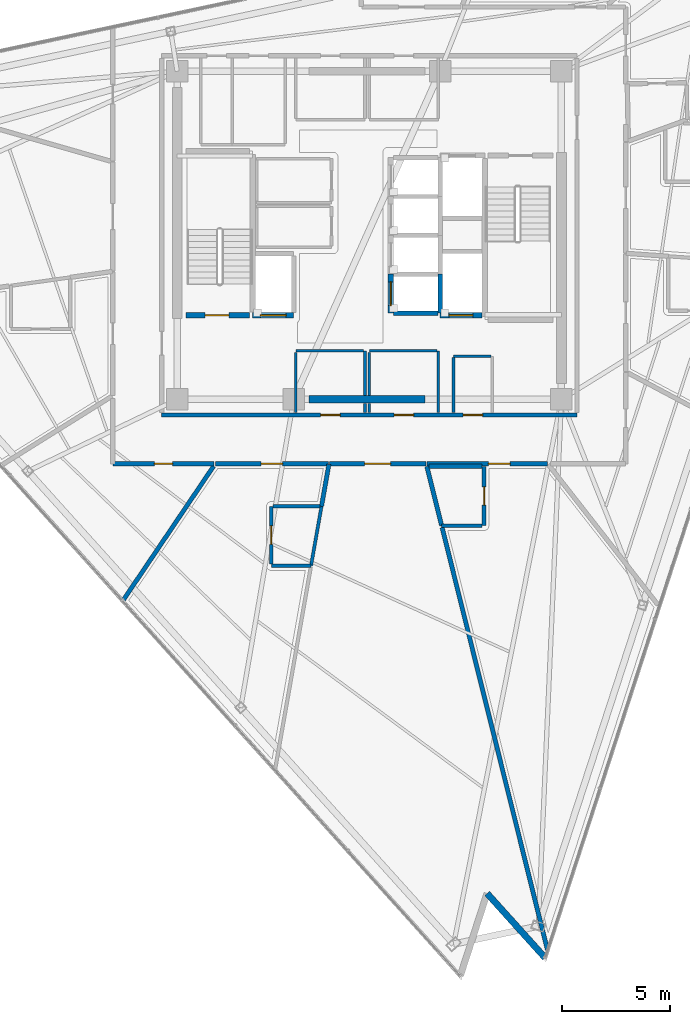
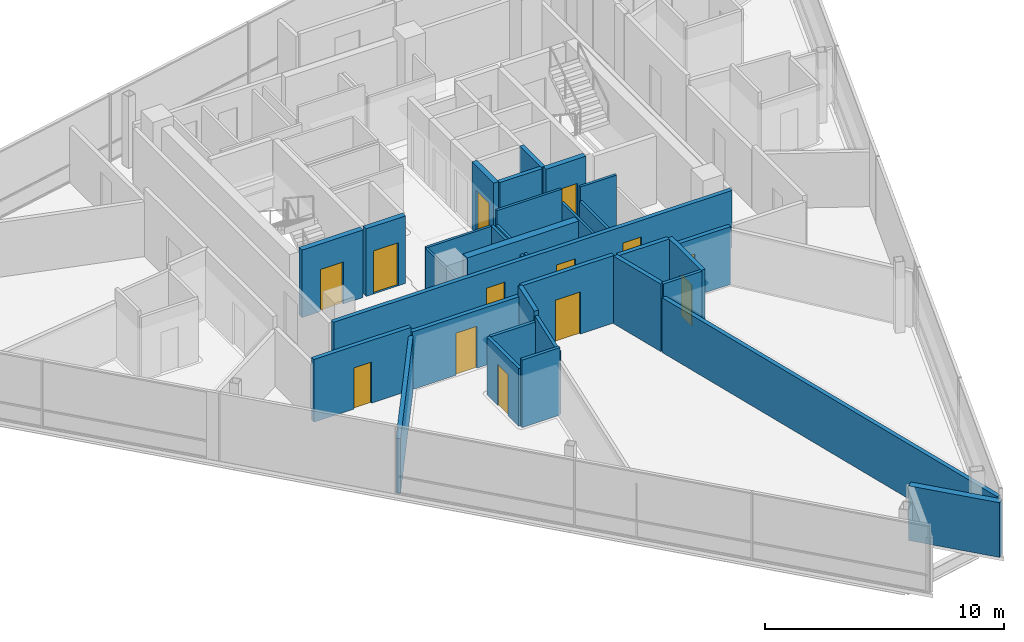
# One storey, part 10 of 17: 34 walls, 13 doors, 13 openings.
"""IFC4 building model written with IfcOpenShell, lengths in metres."""

from ifc_helpers import new_model, si_unit, direction, frame, frame_2d, origin, place, context, subcontext, project, spatial, rectangle, extrude, material, layer, layer_set, type_object, element, fill, save


model = new_model("IFC4")

# Units and contexts
model_context = context("Model", 3, precision=1e-05, world=origin(), true_north=direction((0.0, 1.0)))
body_context = subcontext(model_context, "Body", "Model", "MODEL_VIEW")
ifc_project = project(units=[si_unit("LENGTHUNIT", "METRE"), si_unit("AREAUNIT", "SQUARE_METRE"), si_unit("VOLUMEUNIT", "CUBIC_METRE"), si_unit("PLANEANGLEUNIT", "RADIAN"), si_unit("MASSUNIT", "GRAM", prefix="KILO")], contexts=[model_context])

# Site, building, storey
site_placement = place(None, origin())
site = spatial("IfcSite", under=ifc_project, at=site_placement, CompositionType="ELEMENT")
building_placement = place(site_placement, origin())
building = spatial("IfcBuilding", under=site, at=building_placement, Name="Tharavind Bronze Gate", CompositionType="ELEMENT")
storey_placement = place(building_placement, frame((0.0, 0.0, 294.35009765625)))
storey = spatial("IfcBuildingStorey", under=building, at=storey_placement, Name="L76", CompositionType="ELEMENT", Elevation=294.35009765625)

# Wall
ifc_material_1 = material(Name="Concrete C40/50", Category="concrete")
ifc_layer_1 = layer(ifc_material_1, 0.300048828125)
ifc_layer_set_1 = layer_set([ifc_layer_1], Name="Concrete C40/50")
wall_type_1 = type_object("IfcWallType", Name="EXTERIOR SPANDREL WALL 300", PredefinedType="STANDARD", material=ifc_layer_set_1)
wall_1_placement = place(storey_placement, frame((5.459228515625, -30.484130859375, 0.0), z_axis=(0.0, 0.0, 1.0), x_axis=(0.669132983361, -0.743142685208, 0.0)))
element("IfcWall", 1, at=wall_1_placement, inside=storey, type_object=wall_type_1, Name="L76 notch cheek wall 2B", PredefinedType="STANDARD", context=body_context, shape_type="SweptSolid", body=[
    extrude(rectangle(XDim=4.008056640625, YDim=0.300048828125, at=frame_2d((2.00390625, 0.0))), origin(), (0.0, 0.0, 1.0), 2.794921875),
])

# Wall, openings, doors
ifc_material_2 = material(Name="Aerated Concrete Block", Category="concrete")
ifc_layer_2 = layer(ifc_material_2, 0.199951171875)
ifc_layer_set_2 = layer_set([ifc_layer_2], Name="Aerated Concrete Block")
wall_type_2 = type_object("IfcWallType", Name="FIRE RATED PARTITION 200", PredefinedType="PARTITIONING", material=ifc_layer_set_2)
wall_2_placement = place(storey_placement, frame((-9.6201171875, -8.320068359375, 0.0), z_axis=(0.0, 0.0, 1.0), x_axis=(1.0, 0.0, 0.0)))
wall_2 = element("IfcWall", 2, at=wall_2_placement, inside=storey, type_object=wall_type_2, Name="L76 south core corridor wall", PredefinedType="PARTITIONING", context=body_context, shape_type="SweptSolid", body=[
    extrude(rectangle(XDim=19.240234375, YDim=0.199951171875, at=frame_2d((9.6201171875, 0.0))), origin(), (0.0, 0.0, 1.0), 2.94482421875),
])
opening_1_placement = place(wall_2_placement, frame((7.3701171875, 0.0, 0.0)))
opening_1 = element("IfcOpeningElement", 3, at=opening_1_placement, cuts=wall_2, Name="Opening ID07", PredefinedType="OPENING", context=body_context, shape_type="SweptSolid", body=[
    extrude(rectangle(XDim=0.89990234375, YDim=2.10009765625, at=frame_2d((0.449951171875, 1.050048828125))), frame((0.0, 0.11009765625, 0.0), z_axis=(0.0, -1.0, 0.0), x_axis=(1.0, 0.0, 0.0)), (0.0, 0.0, 1.0), 0.219951171875),
])
opening_2_placement = place(wall_2_placement, frame((10.77001953125, 0.0, 0.0)))
opening_2 = element("IfcOpeningElement", 4, at=opening_2_placement, cuts=wall_2, Name="Opening ID07", PredefinedType="OPENING", context=body_context, shape_type="SweptSolid", body=[
    extrude(rectangle(XDim=0.89990234375, YDim=2.10009765625, at=frame_2d((0.449951171875, 1.050048828125))), frame((0.0, 0.11009765625, 0.0), z_axis=(0.0, -1.0, 0.0), x_axis=(1.0, 0.0, 0.0)), (0.0, 0.0, 1.0), 0.219951171875),
])
opening_3_placement = place(wall_2_placement, frame((13.969970703125, 0.0, 0.0)))
opening_3 = element("IfcOpeningElement", 5, at=opening_3_placement, cuts=wall_2, Name="Opening ID07", PredefinedType="OPENING", context=body_context, shape_type="SweptSolid", body=[
    extrude(rectangle(XDim=0.89990234375, YDim=2.10009765625, at=frame_2d((0.449951171875, 1.050048828125))), frame((0.0, 0.11009765625, 0.0), z_axis=(0.0, -1.0, 0.0), x_axis=(1.0, 0.0, 0.0)), (0.0, 0.0, 1.0), 0.219951171875),
])
ifc_material_3 = material(Name="Galvanised Fire Steel", Category="steel")
door_type_1 = type_object("IfcDoorType", Name="PLANT AND RISER FIRE DOOR 900X2100", OperationType="SINGLE_SWING_LEFT", PredefinedType="DOOR", material=ifc_material_3)
door_1_placement = place(opening_1_placement, frame((0.89990234375, 0.0, 0.0), z_axis=(0.0, 0.0, 1.0), x_axis=(-1.0, 0.0, 0.0)))
door_1 = element("IfcDoor", 6, at=door_1_placement, inside=storey, type_object=door_type_1, Name="L76 Core Archive Store fire door", OperationType="SINGLE_SWING_LEFT", OverallHeight=2.10009765625, OverallWidth=0.89990234375, PredefinedType="DOOR", context=body_context, shape_type="SweptSolid", body=[
    extrude(rectangle(XDim=0.89990234375, YDim=2.10009765625, at=frame_2d((0.449951171875, 1.050048828125))), frame((0.0, 0.02490234375, 0.0), z_axis=(0.0, -1.0, 0.0), x_axis=(1.0, 0.0, 0.0)), (0.0, 0.0, 1.0), 0.050048828125),
])
fill(opening_1, door_1)
door_2_placement = place(opening_2_placement, frame((0.89990234375, 0.0, 0.0), z_axis=(0.0, 0.0, 1.0), x_axis=(-1.0, 0.0, 0.0)))
door_2 = element("IfcDoor", 7, at=door_2_placement, inside=storey, type_object=door_type_1, Name="L76 Core Server Room fire door", OperationType="SINGLE_SWING_LEFT", OverallHeight=2.10009765625, OverallWidth=0.89990234375, PredefinedType="DOOR", context=body_context, shape_type="SweptSolid", body=[
    extrude(rectangle(XDim=0.89990234375, YDim=2.10009765625, at=frame_2d((0.449951171875, 1.050048828125))), frame((0.0, 0.02490234375, 0.0), z_axis=(0.0, -1.0, 0.0), x_axis=(1.0, 0.0, 0.0)), (0.0, 0.0, 1.0), 0.050048828125),
])
fill(opening_2, door_2)
door_3_placement = place(opening_3_placement, frame((0.89990234375, 0.0, 0.0), z_axis=(0.0, 0.0, 1.0), x_axis=(-1.0, 0.0, 0.0)))
door_3 = element("IfcDoor", 8, at=door_3_placement, inside=storey, type_object=door_type_1, Name="L76 Janitor Store Cupboard fire door", OperationType="SINGLE_SWING_LEFT", OverallHeight=2.10009765625, OverallWidth=0.89990234375, PredefinedType="DOOR", context=body_context, shape_type="SweptSolid", body=[
    extrude(rectangle(XDim=0.89990234375, YDim=2.10009765625, at=frame_2d((0.449951171875, 1.050048828125))), frame((0.0, 0.02490234375, 0.0), z_axis=(0.0, -1.0, 0.0), x_axis=(1.0, 0.0, 0.0)), (0.0, 0.0, 1.0), 0.050048828125),
])
fill(opening_3, door_3)

# Wall, opening, door
wall_3_placement = place(storey_placement, frame((5.31787109375, -10.699951171875, 0.0), z_axis=(0.0, 0.0, 1.0), x_axis=(0.0, -1.0, 0.0)))
wall_3 = element("IfcWall", 9, at=wall_3_placement, inside=storey, type_object=wall_type_2, Name="L76 En-Suite Bathroom partition", PredefinedType="PARTITIONING", context=body_context, shape_type="SweptSolid", body=[
    extrude(rectangle(XDim=2.75, YDim=0.199951171875, at=frame_2d((1.375, 0.0))), origin(), (0.0, 0.0, 1.0), 3.449951171875),
])
opening_4_placement = place(wall_3_placement, frame((0.949951171875, 0.0, 0.0)))
opening_4 = element("IfcOpeningElement", 10, at=opening_4_placement, cuts=wall_3, Name="Opening ID06", PredefinedType="OPENING", context=body_context, shape_type="SweptSolid", body=[
    extrude(rectangle(XDim=0.85009765625, YDim=2.10009765625, at=frame_2d((0.425048828125, 1.050048828125))), frame((0.0, 0.11009765625, 0.0), z_axis=(0.0, -1.0, 0.0), x_axis=(1.0, 0.0, 0.0)), (0.0, 0.0, 1.0), 0.219951171875),
])
ifc_material_4 = material(Name="Moisture-Resistant Timber", Category="wood")
door_type_2 = type_object("IfcDoorType", Name="BATHROOM PRIVACY DOOR 850X2100", OperationType="SINGLE_SWING_RIGHT", PredefinedType="DOOR", material=ifc_material_4)
door_4_placement = place(opening_4_placement, origin())
door_4 = element("IfcDoor", 11, at=door_4_placement, inside=storey, type_object=door_type_2, Name="L76 En-Suite Bathroom door", OperationType="SINGLE_SWING_RIGHT", OverallHeight=2.10009765625, OverallWidth=0.85009765625, PredefinedType="DOOR", context=body_context, shape_type="SweptSolid", body=[
    extrude(rectangle(XDim=0.85009765625, YDim=2.10009765625, at=frame_2d((0.425048828125, 1.050048828125))), frame((0.0, 0.02490234375, 0.0), z_axis=(0.0, -1.0, 0.0), x_axis=(1.0, 0.0, 0.0)), (0.0, 0.0, 1.0), 0.050048828125),
])
fill(opening_4, door_4)

# Walls
wall_4_placement = place(storey_placement, frame((3.353515625, -13.449951171875, 0.0), z_axis=(0.0, 0.0, 1.0), x_axis=(-0.241968071048, 0.970284212277, 0.0)))
element("IfcWall", 12, at=wall_4_placement, inside=storey, type_object=wall_type_2, Name="L76 En-Suite Bathroom partition", PredefinedType="PARTITIONING", context=body_context, shape_type="SweptSolid", body=[
    extrude(rectangle(XDim=2.834228515625, YDim=0.199951171875, at=frame_2d((1.4169921875, 0.0))), origin(), (0.0, 0.0, 1.0), 3.449951171875),
])
wall_5_placement = place(storey_placement, frame((2.77587890625, -10.699951171875, 0.0), z_axis=(0.0, 0.0, 1.0), x_axis=(1.0, 0.0, 0.0)))
element("IfcWall", 13, at=wall_5_placement, inside=storey, type_object=wall_type_2, Name="L76 En-Suite Bathroom partition", PredefinedType="PARTITIONING", context=body_context, shape_type="SweptSolid", body=[
    extrude(rectangle(XDim=2.43701171875, YDim=0.199951171875, at=frame_2d((1.218505859375, 0.0))), origin(), (0.0, 0.0, 1.0), 3.449951171875),
])

# Wall, opening, door
wall_6_placement = place(storey_placement, frame((-11.87939453125, -10.580078125, 0.0), z_axis=(0.0, 0.0, 1.0), x_axis=(1.0, 0.0, 0.0)))
wall_6 = element("IfcWall", 14, at=wall_6_placement, inside=storey, type_object=wall_type_2, Name="L76 Public Restrooms Block partition", PredefinedType="PARTITIONING", context=body_context, shape_type="SweptSolid", body=[
    extrude(rectangle(XDim=4.696044921875, YDim=0.199951171875, at=frame_2d((2.34814453125, 0.0))), origin(), (0.0, 0.0, 1.0), 3.204833984375),
])
opening_5_placement = place(wall_6_placement, frame((1.923095703125, 0.0, 0.0)))
opening_5 = element("IfcOpeningElement", 15, at=opening_5_placement, cuts=wall_6, Name="Opening ID06", PredefinedType="OPENING", context=body_context, shape_type="SweptSolid", body=[
    extrude(rectangle(XDim=0.85009765625, YDim=2.10009765625, at=frame_2d((0.425048828125, 1.050048828125))), frame((0.0, 0.11009765625, 0.0), z_axis=(0.0, -1.0, 0.0), x_axis=(1.0, 0.0, 0.0)), (0.0, 0.0, 1.0), 0.219951171875),
])
door_5_placement = place(opening_5_placement, origin())
door_5 = element("IfcDoor", 16, at=door_5_placement, inside=storey, type_object=door_type_2, Name="L76 Public Restrooms Block door", OperationType="SINGLE_SWING_RIGHT", OverallHeight=2.10009765625, OverallWidth=0.85009765625, PredefinedType="DOOR", context=body_context, shape_type="SweptSolid", body=[
    extrude(rectangle(XDim=0.85009765625, YDim=2.10009765625, at=frame_2d((0.425048828125, 1.050048828125))), frame((0.0, 0.02490234375, 0.0), z_axis=(0.0, -1.0, 0.0), x_axis=(1.0, 0.0, 0.0)), (0.0, 0.0, 1.0), 0.050048828125),
])
fill(opening_5, door_5)

# Wall
wall_7_placement = place(storey_placement, frame((-7.20703125, -10.68505859375, 0.0), z_axis=(0.0, 0.0, 1.0), x_axis=(-0.559203861497, -0.829030181168, 0.0)))
element("IfcWall", 17, at=wall_7_placement, inside=storey, type_object=wall_type_2, Name="L76 Public Restrooms Block partition", PredefinedType="PARTITIONING", context=body_context, shape_type="SweptSolid", body=[
    extrude(rectangle(XDim=7.52978515625, YDim=0.199951171875, at=frame_2d((3.764892578125, 0.0))), origin(), (0.0, 0.0, 1.0), 2.794921875),
])

# Wall, opening, door
wall_8_placement = place(storey_placement, frame((-7.123046875, -10.580078125, 0.0), z_axis=(0.0, 0.0, 1.0), x_axis=(1.0, 0.0, 0.0)))
wall_8 = element("IfcWall", 18, at=wall_8_placement, inside=storey, type_object=wall_type_2, Name="L76 Hotel Guest Room partition", PredefinedType="PARTITIONING", context=body_context, shape_type="SweptSolid", body=[
    extrude(rectangle(XDim=5.227783203125, YDim=0.199951171875, at=frame_2d((2.61376953125, 0.0))), origin(), (0.0, 0.0, 1.0), 2.94482421875),
])
opening_6_placement = place(wall_8_placement, frame((2.114013671875, 0.0, 0.0)))
opening_6 = element("IfcOpeningElement", 19, at=opening_6_placement, cuts=wall_8, Name="Opening ID03", PredefinedType="OPENING", context=body_context, shape_type="SweptSolid", body=[
    extrude(rectangle(XDim=1.0, YDim=2.14990234375, at=frame_2d((0.5, 1.074951171875))), frame((0.0, 0.11009765625, 0.0), z_axis=(0.0, -1.0, 0.0), x_axis=(1.0, 0.0, 0.0)), (0.0, 0.0, 1.0), 0.219951171875),
])
ifc_material_5 = material(Name="Solid Timber Veneer", Category="wood")
door_type_3 = type_object("IfcDoorType", Name="HOTEL SUITE ENTRANCE DOOR 1000X2150", OperationType="SINGLE_SWING_LEFT", PredefinedType="DOOR", material=ifc_material_5)
door_6_placement = place(opening_6_placement, origin())
door_6 = element("IfcDoor", 20, at=door_6_placement, inside=storey, type_object=door_type_3, Name="L76 Hotel Guest Room door", OperationType="SINGLE_SWING_LEFT", OverallHeight=2.14990234375, OverallWidth=1.0, PredefinedType="DOOR", context=body_context, shape_type="SweptSolid", body=[
    extrude(rectangle(XDim=1.0, YDim=2.14990234375, at=frame_2d((0.5, 1.074951171875))), frame((0.0, 0.02490234375, 0.0), z_axis=(0.0, -1.0, 0.0), x_axis=(1.0, 0.0, 0.0)), (0.0, 0.0, 1.0), 0.050048828125),
])
fill(opening_6, door_6)

# Wall
wall_9_placement = place(storey_placement, frame((-1.87060546875, -10.609375, 0.0), z_axis=(0.0, 0.0, 1.0), x_axis=(-0.17369345517, -0.984799768294, 0.0)))
element("IfcWall", 21, at=wall_9_placement, inside=storey, type_object=wall_type_2, Name="L76 Hotel Guest Room partition", PredefinedType="PARTITIONING", context=body_context, shape_type="SweptSolid", body=[
    extrude(rectangle(XDim=1.970703125, YDim=0.199951171875, at=frame_2d((0.9853515625, 0.0))), origin(), (0.0, 0.0, 1.0), 3.449951171875),
])

# Wall, opening, door
wall_10_placement = place(storey_placement, frame((-1.844482421875, -10.580078125, 0.0), z_axis=(0.0, 0.0, 1.0), x_axis=(1.0, 0.0, 0.0)))
wall_10 = element("IfcWall", 22, at=wall_10_placement, inside=storey, type_object=wall_type_2, Name="L76 Hotel Guest Lounge partition", PredefinedType="PARTITIONING", context=body_context, shape_type="SweptSolid", body=[
    extrude(rectangle(XDim=4.462890625, YDim=0.199951171875, at=frame_2d((2.2314453125, 0.0))), origin(), (0.0, 0.0, 1.0), 3.449951171875),
])
opening_7_placement = place(wall_10_placement, frame((1.631103515625, 0.0, 0.0)))
opening_7 = element("IfcOpeningElement", 23, at=opening_7_placement, cuts=wall_10, Name="Opening ID05", PredefinedType="OPENING", context=body_context, shape_type="SweptSolid", body=[
    extrude(rectangle(XDim=1.199951171875, YDim=2.14990234375, at=frame_2d((0.60009765625, 1.074951171875))), frame((0.0, 0.11009765625, 0.0), z_axis=(0.0, -1.0, 0.0), x_axis=(1.0, 0.0, 0.0)), (0.0, 0.0, 1.0), 0.219951171875),
])
ifc_material_6 = material(Name="Acoustic Laminated Glass", Category="glass")
door_type_4 = type_object("IfcDoorType", Name="MEETING ROOM GLAZED DOOR 1200X2150", OperationType="SINGLE_SWING_LEFT", PredefinedType="DOOR", material=ifc_material_6)
door_7_placement = place(opening_7_placement, origin())
door_7 = element("IfcDoor", 24, at=door_7_placement, inside=storey, type_object=door_type_4, Name="L76 Hotel Guest Lounge door", OperationType="SINGLE_SWING_LEFT", OverallHeight=2.14990234375, OverallWidth=1.199951171875, PredefinedType="DOOR", context=body_context, shape_type="SweptSolid", body=[
    extrude(rectangle(XDim=1.199951171875, YDim=2.14990234375, at=frame_2d((0.60009765625, 1.074951171875))), frame((0.0, 0.02490234375, 0.0), z_axis=(0.0, -1.0, 0.0), x_axis=(1.0, 0.0, 0.0)), (0.0, 0.0, 1.0), 0.050048828125),
])
fill(opening_7, door_7)

# Wall
wall_11_placement = place(storey_placement, frame((3.373291015625, -13.530029296875, 0.0), z_axis=(0.0, 0.0, 1.0), x_axis=(0.24193474073, -0.970292523535, 0.0)))
element("IfcWall", 25, at=wall_11_placement, inside=storey, type_object=wall_type_2, Name="L76 Hotel Guest Lounge partition", PredefinedType="PARTITIONING", context=body_context, shape_type="SweptSolid", body=[
    extrude(rectangle(XDim=20.17333984375, YDim=0.199951171875, at=frame_2d((10.086669921875, 0.0))), origin(), (0.0, 0.0, 1.0), 2.794921875),
])

# Wall, opening, door
wall_12_placement = place(storey_placement, frame((2.669921875, -10.580078125, 0.0), z_axis=(0.0, 0.0, 1.0), x_axis=(1.0, 0.0, 0.0)))
wall_12 = element("IfcWall", 26, at=wall_12_placement, inside=storey, type_object=wall_type_2, Name="L76 Deluxe Hotel Suite partition", PredefinedType="PARTITIONING", context=body_context, shape_type="SweptSolid", body=[
    extrude(rectangle(XDim=5.583984375, YDim=0.199951171875, at=frame_2d((2.7919921875, 0.0))), origin(), (0.0, 0.0, 1.0), 2.94482421875),
])
opening_8_placement = place(wall_12_placement, frame((2.85205078125, 0.0, 0.0)))
opening_8 = element("IfcOpeningElement", 27, at=opening_8_placement, cuts=wall_12, Name="Opening ID03", PredefinedType="OPENING", context=body_context, shape_type="SweptSolid", body=[
    extrude(rectangle(XDim=1.0, YDim=2.14990234375, at=frame_2d((0.5, 1.074951171875))), frame((0.0, 0.11009765625, 0.0), z_axis=(0.0, -1.0, 0.0), x_axis=(1.0, 0.0, 0.0)), (0.0, 0.0, 1.0), 0.219951171875),
])
door_8_placement = place(opening_8_placement, origin())
door_8 = element("IfcDoor", 28, at=door_8_placement, inside=storey, type_object=door_type_3, Name="L76 Deluxe Hotel Suite door", OperationType="SINGLE_SWING_LEFT", OverallHeight=2.14990234375, OverallWidth=1.0, PredefinedType="DOOR", context=body_context, shape_type="SweptSolid", body=[
    extrude(rectangle(XDim=1.0, YDim=2.14990234375, at=frame_2d((0.5, 1.074951171875))), frame((0.0, 0.02490234375, 0.0), z_axis=(0.0, -1.0, 0.0), x_axis=(1.0, 0.0, 0.0)), (0.0, 0.0, 1.0), 0.050048828125),
])
fill(opening_8, door_8)

# Walls
ifc_material_7 = material(Name="Metal Stud Gypsum Partition", Category="gypsum")
ifc_layer_3 = layer(ifc_material_7, 0.1201171875)
ifc_layer_set_3 = layer_set([ifc_layer_3], Name="Metal Stud Gypsum Partition")
wall_type_3 = type_object("IfcWallType", Name="INTERIOR PARTITION WALL 120", PredefinedType="PARTITIONING", material=ifc_layer_set_3)
wall_13_placement = place(storey_placement, frame((-0.199951171875, -8.215087890625, 0.0), z_axis=(0.0, 0.0, 1.0), x_axis=(0.0, 1.0, 0.0)))
element("IfcWall", 29, at=wall_13_placement, inside=storey, type_object=wall_type_3, Name="L76 Core Archive Store partition 2", PredefinedType="PARTITIONING", context=body_context, shape_type="SweptSolid", body=[
    extrude(rectangle(XDim=0.43505859375, YDim=0.1201171875, at=frame_2d((0.217529296875, 0.0))), origin(), (0.0, 0.0, 1.0), 2.744873046875),
])
wall_14_placement = place(storey_placement, frame((-0.199951171875, -7.419921875, 0.0), z_axis=(0.0, 0.0, 1.0), x_axis=(0.0, 1.0, 0.0)))
element("IfcWall", 30, at=wall_14_placement, inside=storey, type_object=wall_type_3, Name="L76 Core Archive Store partition 2", PredefinedType="PARTITIONING", context=body_context, shape_type="SweptSolid", body=[
    extrude(rectangle(XDim=2.06982421875, YDim=0.1201171875, at=frame_2d((1.034912109375, 0.0))), origin(), (0.0, 0.0, 1.0), 2.744873046875),
])
wall_15_placement = place(storey_placement, frame((-0.264892578125, -5.35009765625, 0.0), z_axis=(0.0, 0.0, 1.0), x_axis=(-1.0, 0.0, 0.0)))
element("IfcWall", 31, at=wall_15_placement, inside=storey, type_object=wall_type_3, Name="L76 Core Archive Store partition 3", PredefinedType="PARTITIONING", context=body_context, shape_type="SweptSolid", body=[
    extrude(rectangle(XDim=3.135009765625, YDim=0.1201171875, at=frame_2d((1.5673828125, 0.0))), origin(), (0.0, 0.0, 1.0), 2.744873046875),
])
wall_16_placement = place(storey_placement, frame((-3.39990234375, -5.4150390625, 0.0), z_axis=(0.0, 0.0, 1.0), x_axis=(0.0, -1.0, 0.0)))
element("IfcWall", 32, at=wall_16_placement, inside=storey, type_object=wall_type_3, Name="L76 Core Archive Store partition 4", PredefinedType="PARTITIONING", context=body_context, shape_type="SweptSolid", body=[
    extrude(rectangle(XDim=2.800048828125, YDim=0.1201171875, at=frame_2d((1.39990234375, 0.0))), origin(), (0.0, 0.0, 1.0), 2.744873046875),
])
wall_17_placement = place(storey_placement, frame((3.199951171875, -8.215087890625, 0.0), z_axis=(0.0, 0.0, 1.0), x_axis=(0.0, 1.0, 0.0)))
element("IfcWall", 33, at=wall_17_placement, inside=storey, type_object=wall_type_3, Name="L76 Core Server Room partition 2", PredefinedType="PARTITIONING", context=body_context, shape_type="SweptSolid", body=[
    extrude(rectangle(XDim=2.864990234375, YDim=0.1201171875, at=frame_2d((1.4326171875, 0.0))), origin(), (0.0, 0.0, 1.0), 2.744873046875),
])
wall_18_placement = place(storey_placement, frame((3.135009765625, -5.35009765625, 0.0), z_axis=(0.0, 0.0, 1.0), x_axis=(-1.0, 0.0, 0.0)))
element("IfcWall", 34, at=wall_18_placement, inside=storey, type_object=wall_type_3, Name="L76 Core Server Room partition 3", PredefinedType="PARTITIONING", context=body_context, shape_type="SweptSolid", body=[
    extrude(rectangle(XDim=3.135009765625, YDim=0.1201171875, at=frame_2d((1.5673828125, 0.0))), origin(), (0.0, 0.0, 1.0), 3.449951171875),
])
wall_19_placement = place(storey_placement, frame((0.0, -5.4150390625, 0.0), z_axis=(0.0, 0.0, 1.0), x_axis=(0.0, -1.0, 0.0)))
element("IfcWall", 35, at=wall_19_placement, inside=storey, type_object=wall_type_3, Name="L76 Core Server Room partition 4", PredefinedType="PARTITIONING", context=body_context, shape_type="SweptSolid", body=[
    extrude(rectangle(XDim=2.0048828125, YDim=0.1201171875, at=frame_2d((1.00244140625, 0.0))), origin(), (0.0, 0.0, 1.0), 2.744873046875),
])
wall_20_placement = place(storey_placement, frame((0.0, -7.780029296875, 0.0), z_axis=(0.0, 0.0, 1.0), x_axis=(0.0, -1.0, 0.0)))
element("IfcWall", 36, at=wall_20_placement, inside=storey, type_object=wall_type_3, Name="L76 Core Server Room partition 4", PredefinedType="PARTITIONING", context=body_context, shape_type="SweptSolid", body=[
    extrude(rectangle(XDim=0.43505859375, YDim=0.1201171875, at=frame_2d((0.217529296875, 0.0))), origin(), (0.0, 0.0, 1.0), 2.744873046875),
])
wall_21_placement = place(storey_placement, frame((5.635009765625, -5.60009765625, 0.0), z_axis=(0.0, 0.0, 1.0), x_axis=(-1.0, 0.0, 0.0)))
element("IfcWall", 37, at=wall_21_placement, inside=storey, type_object=wall_type_3, Name="L76 Janitor Store Cupboard partition 3", PredefinedType="PARTITIONING", context=body_context, shape_type="SweptSolid", body=[
    extrude(rectangle(XDim=1.735107421875, YDim=0.1201171875, at=frame_2d((0.86767578125, 0.0))), origin(), (0.0, 0.0, 1.0), 3.449951171875),
])
wall_22_placement = place(storey_placement, frame((3.89990234375, -5.6650390625, 0.0), z_axis=(0.0, 0.0, 1.0), x_axis=(0.0, -1.0, 0.0)))
element("IfcWall", 38, at=wall_22_placement, inside=storey, type_object=wall_type_3, Name="L76 Janitor Store Cupboard partition 4", PredefinedType="PARTITIONING", context=body_context, shape_type="SweptSolid", body=[
    extrude(rectangle(XDim=2.550048828125, YDim=0.1201171875, at=frame_2d((1.27490234375, 0.0))), origin(), (0.0, 0.0, 1.0), 2.744873046875),
])
ifc_material_8 = material(Name="Twin Stud Acoustic Gypsum", Category="gypsum")
ifc_layer_4 = layer(ifc_material_8, 0.14990234375)
ifc_layer_set_4 = layer_set([ifc_layer_4], Name="Twin Stud Acoustic Gypsum")
wall_type_4 = type_object("IfcWallType", Name="INTERIOR PARTITION WALL 150", PredefinedType="PARTITIONING", material=ifc_layer_set_4)
wall_23_placement = place(storey_placement, frame((-2.212890625, -12.550048828125, 0.0), z_axis=(0.0, 0.0, 1.0), x_axis=(-0.173635703618, -0.984809952442, 0.0)))
element("IfcWall", 39, at=wall_23_placement, inside=storey, type_object=wall_type_4, Name="L76 En-Suite Bathroom partition", PredefinedType="PARTITIONING", context=body_context, shape_type="SweptSolid", body=[
    extrude(rectangle(XDim=2.79248046875, YDim=0.14990234375, at=frame_2d((1.396240234375, 0.0))), origin(), (0.0, 0.0, 1.0), 3.204833984375),
])
wall_24_placement = place(storey_placement, frame((-2.69775390625, -15.300048828125, 0.0), z_axis=(0.0, 0.0, 1.0), x_axis=(-1.0, 0.0, 0.0)))
element("IfcWall", 40, at=wall_24_placement, inside=storey, type_object=wall_type_4, Name="L76 En-Suite Bathroom partition", PredefinedType="PARTITIONING", context=body_context, shape_type="SweptSolid", body=[
    extrude(rectangle(XDim=1.8388671875, YDim=0.14990234375, at=frame_2d((0.91943359375, 0.0))), origin(), (0.0, 0.0, 1.0), 3.449951171875),
])

# Wall, opening, door
wall_25_placement = place(storey_placement, frame((-4.53662109375, -15.219970703125, 0.0), z_axis=(0.0, 0.0, 1.0), x_axis=(0.0, 1.0, 0.0)))
wall_25 = element("IfcWall", 41, at=wall_25_placement, inside=storey, type_object=wall_type_4, Name="L76 En-Suite Bathroom partition", PredefinedType="PARTITIONING", context=body_context, shape_type="SweptSolid", body=[
    extrude(rectangle(XDim=2.669921875, YDim=0.14990234375, at=frame_2d((1.3349609375, 0.0))), origin(), (0.0, 0.0, 1.0), 2.94482421875),
])
opening_9_placement = place(wall_25_placement, frame((0.909912109375, 0.0, 0.0)))
opening_9 = element("IfcOpeningElement", 42, at=opening_9_placement, cuts=wall_25, Name="Opening ID06", PredefinedType="OPENING", context=body_context, shape_type="SweptSolid", body=[
    extrude(rectangle(XDim=0.85009765625, YDim=2.10009765625, at=frame_2d((0.425048828125, 1.050048828125))), frame((0.0, 0.084951171875, 0.0), z_axis=(0.0, -1.0, 0.0), x_axis=(1.0, 0.0, 0.0)), (0.0, 0.0, 1.0), 0.16990234375),
])
door_9_placement = place(opening_9_placement, origin())
door_9 = element("IfcDoor", 43, at=door_9_placement, inside=storey, type_object=door_type_2, Name="L76 En-Suite Bathroom door", OperationType="SINGLE_SWING_RIGHT", OverallHeight=2.10009765625, OverallWidth=0.85009765625, PredefinedType="DOOR", context=body_context, shape_type="SweptSolid", body=[
    extrude(rectangle(XDim=0.85009765625, YDim=2.10009765625, at=frame_2d((0.425048828125, 1.050048828125))), frame((0.0, 0.02490234375, 0.0), z_axis=(0.0, -1.0, 0.0), x_axis=(1.0, 0.0, 0.0)), (0.0, 0.0, 1.0), 0.050048828125),
])
fill(opening_9, door_9)

# Walls
wall_26_placement = place(storey_placement, frame((-4.456787109375, -12.550048828125, 0.0), z_axis=(0.0, 0.0, 1.0), x_axis=(1.0, 0.0, 0.0)))
element("IfcWall", 44, at=wall_26_placement, inside=storey, type_object=wall_type_4, Name="L76 En-Suite Bathroom partition", PredefinedType="PARTITIONING", context=body_context, shape_type="SweptSolid", body=[
    extrude(rectangle(XDim=2.16259765625, YDim=0.14990234375, at=frame_2d((1.081298828125, 0.0))), origin(), (0.0, 0.0, 1.0), 2.94482421875),
])
wall_27_placement = place(storey_placement, frame((5.212890625, -13.449951171875, 0.0), z_axis=(0.0, 0.0, 1.0), x_axis=(-1.0, 0.0, 0.0)))
element("IfcWall", 45, at=wall_27_placement, inside=storey, type_object=wall_type_4, Name="L76 En-Suite Bathroom partition", PredefinedType="PARTITIONING", context=body_context, shape_type="SweptSolid", body=[
    extrude(rectangle(XDim=1.859375, YDim=0.14990234375, at=frame_2d((0.9296875, 0.0))), origin(), (0.0, 0.0, 1.0), 3.449951171875),
])

# Wall, opening, door
ifc_material_9 = material(Name="Concrete C50/60", Category="concrete")
ifc_layer_5 = layer(ifc_material_9, 0.25)
ifc_layer_set_5 = layer_set([ifc_layer_5], Name="Concrete C50/60")
wall_type_5 = type_object("IfcWallType", Name="RC CORE SHEAR WALL 250", PredefinedType="SHEAR", material=ifc_layer_set_5)
wall_28_placement = place(storey_placement, frame((-8.5, -3.699951171875, 0.0), z_axis=(0.0, 0.0, 1.0), x_axis=(1.0, 0.0, 0.0)))
wall_28 = element("IfcWall", 46, at=wall_28_placement, inside=storey, type_object=wall_type_5, Name="L76 ST1 shaft south wall", PredefinedType="SHEAR", context=body_context, shape_type="SweptSolid", body=[
    extrude(rectangle(XDim=2.949951171875, YDim=0.25, at=frame_2d((1.47509765625, 0.0))), origin(), (0.0, 0.0, 1.0), 3.449951171875),
])
opening_10_placement = place(wall_28_placement, frame((0.89990234375, 0.0, 0.0)))
opening_10 = element("IfcOpeningElement", 47, at=opening_10_placement, cuts=wall_28, Name="Opening ID01", PredefinedType="OPENING", context=body_context, shape_type="SweptSolid", body=[
    extrude(rectangle(XDim=1.10009765625, YDim=2.14990234375, at=frame_2d((0.550048828125, 1.074951171875))), frame((0.0, 0.135, 0.0), z_axis=(0.0, -1.0, 0.0), x_axis=(1.0, 0.0, 0.0)), (0.0, 0.0, 1.0), 0.27),
])
ifc_material_10 = material(Name="Fire-Rated Steel", Category="steel")
door_type_5 = type_object("IfcDoorType", Name="STAIR CORE FIRE DOOR 1100X2150", OperationType="SINGLE_SWING_LEFT", PredefinedType="DOOR", material=ifc_material_10)
door_10_placement = place(opening_10_placement, origin())
door_10 = element("IfcDoor", 48, at=door_10_placement, inside=storey, type_object=door_type_5, Name="L76 exit stair ST1 fire door", OperationType="SINGLE_SWING_LEFT", OverallHeight=2.14990234375, OverallWidth=1.10009765625, PredefinedType="DOOR", context=body_context, shape_type="SweptSolid", body=[
    extrude(rectangle(XDim=1.10009765625, YDim=2.14990234375, at=frame_2d((0.550048828125, 1.074951171875))), frame((0.0, 0.02490234375, 0.0), z_axis=(0.0, -1.0, 0.0), x_axis=(1.0, 0.0, 0.0)), (0.0, 0.0, 1.0), 0.050048828125),
])
fill(opening_10, door_10)

wall_29_placement = place(storey_placement, frame((1.0, -3.60009765625, 0.0), z_axis=(0.0, 0.0, 1.0), x_axis=(0.0, 1.0, 0.0)))
wall_29 = element("IfcWall", 49, at=wall_29_placement, inside=storey, type_object=wall_type_5, Name="L76 lift PL9 shaft front wall", PredefinedType="SHEAR", context=body_context, shape_type="SweptSolid", body=[
    extrude(rectangle(XDim=1.800048828125, YDim=0.25, at=frame_2d((0.89990234375, 0.0))), origin(), (0.0, 0.0, 1.0), 3.449951171875),
])
opening_11_placement = place(wall_29_placement, frame((0.35009765625, 0.0, 0.0)))
opening_11 = element("IfcOpeningElement", 50, at=opening_11_placement, cuts=wall_29, Name="Opening LD01", PredefinedType="OPENING", context=body_context, shape_type="SweptSolid", body=[
    extrude(rectangle(XDim=1.10009765625, YDim=2.199951171875, at=frame_2d((0.550048828125, 1.10009765625))), frame((0.0, 0.135, 0.0), z_axis=(0.0, -1.0, 0.0), x_axis=(1.0, 0.0, 0.0)), (0.0, 0.0, 1.0), 0.27),
])
ifc_material_11 = material(Name="Brushed Bronze Stainless Steel", Category="steel")
door_type_6 = type_object("IfcDoorType", Name="LIFT LANDING SLIDING DOOR 1100X2200", OperationType="SLIDING_TO_LEFT", PredefinedType="DOOR", material=ifc_material_11)
door_11_placement = place(opening_11_placement, origin())
door_11 = element("IfcDoor", 51, at=door_11_placement, inside=storey, type_object=door_type_6, Name="L76 lift PL9 sliding landing door", OperationType="SLIDING_TO_LEFT", OverallHeight=2.199951171875, OverallWidth=1.10009765625, PredefinedType="DOOR", context=body_context, shape_type="SweptSolid", body=[
    extrude(rectangle(XDim=1.10009765625, YDim=2.199951171875, at=frame_2d((0.550048828125, 1.10009765625))), frame((0.0, 0.02490234375, 0.0), z_axis=(0.0, -1.0, 0.0), x_axis=(1.0, 0.0, 0.0)), (0.0, 0.0, 1.0), 0.050048828125),
])
fill(opening_11, door_11)

wall_30_placement = place(storey_placement, frame((-5.39990234375, -3.699951171875, 0.0), z_axis=(0.0, 0.0, 1.0), x_axis=(1.0, 0.0, 0.0)))
wall_30 = element("IfcWall", 52, at=wall_30_placement, inside=storey, type_object=wall_type_5, Name="L76 lift FFL1 shaft front wall", PredefinedType="SHEAR", context=body_context, shape_type="SweptSolid", body=[
    extrude(rectangle(XDim=1.89990234375, YDim=0.25, at=frame_2d((0.949951171875, 0.0))), origin(), (0.0, 0.0, 1.0), 3.449951171875),
])
opening_12_placement = place(wall_30_placement, frame((0.35009765625, 0.0, 0.0)))
opening_12 = element("IfcOpeningElement", 53, at=opening_12_placement, cuts=wall_30, Name="Opening LD02", PredefinedType="OPENING", context=body_context, shape_type="SweptSolid", body=[
    extrude(rectangle(XDim=1.199951171875, YDim=2.199951171875, at=frame_2d((0.60009765625, 1.10009765625))), frame((0.0, 0.135, 0.0), z_axis=(0.0, -1.0, 0.0), x_axis=(1.0, 0.0, 0.0)), (0.0, 0.0, 1.0), 0.27),
])
ifc_material_12 = material(Name="Brushed Stainless Steel", Category="steel")
door_type_7 = type_object("IfcDoorType", Name="FIREFIGHTING LIFT LANDING DOOR 1200X2200", OperationType="SLIDING_TO_RIGHT", PredefinedType="DOOR", material=ifc_material_12)
door_12_placement = place(opening_12_placement, origin())
door_12 = element("IfcDoor", 54, at=door_12_placement, inside=storey, type_object=door_type_7, Name="L76 lift FFL1 sliding landing door", OperationType="SLIDING_TO_RIGHT", OverallHeight=2.199951171875, OverallWidth=1.199951171875, PredefinedType="DOOR", context=body_context, shape_type="SweptSolid", body=[
    extrude(rectangle(XDim=1.199951171875, YDim=2.199951171875, at=frame_2d((0.60009765625, 1.10009765625))), frame((0.0, 0.02490234375, 0.0), z_axis=(0.0, -1.0, 0.0), x_axis=(1.0, 0.0, 0.0)), (0.0, 0.0, 1.0), 0.050048828125),
])
fill(opening_12, door_12)

wall_31_placement = place(storey_placement, frame((3.280029296875, -3.699951171875, 0.0), z_axis=(0.0, 0.0, 1.0), x_axis=(1.0, 0.0, 0.0)))
wall_31 = element("IfcWall", 55, at=wall_31_placement, inside=storey, type_object=wall_type_5, Name="L76 lift SVL1 shaft front wall", PredefinedType="SHEAR", context=body_context, shape_type="SweptSolid", body=[
    extrude(rectangle(XDim=1.93994140625, YDim=0.25, at=frame_2d((0.969970703125, 0.0))), origin(), (0.0, 0.0, 1.0), 3.449951171875),
])
opening_13_placement = place(wall_31_placement, frame((0.419921875, 0.0, 0.0)))
opening_13 = element("IfcOpeningElement", 56, at=opening_13_placement, cuts=wall_31, Name="Opening LD01", PredefinedType="OPENING", context=body_context, shape_type="SweptSolid", body=[
    extrude(rectangle(XDim=1.10009765625, YDim=2.199951171875, at=frame_2d((0.550048828125, 1.10009765625))), frame((0.0, 0.135, 0.0), z_axis=(0.0, -1.0, 0.0), x_axis=(1.0, 0.0, 0.0)), (0.0, 0.0, 1.0), 0.27),
])
door_13_placement = place(opening_13_placement, origin())
door_13 = element("IfcDoor", 57, at=door_13_placement, inside=storey, type_object=door_type_6, Name="L76 lift SVL1 sliding landing door", OperationType="SLIDING_TO_LEFT", OverallHeight=2.199951171875, OverallWidth=1.10009765625, PredefinedType="DOOR", context=body_context, shape_type="SweptSolid", body=[
    extrude(rectangle(XDim=1.10009765625, YDim=2.199951171875, at=frame_2d((0.550048828125, 1.10009765625))), frame((0.0, 0.02490234375, 0.0), z_axis=(0.0, -1.0, 0.0), x_axis=(1.0, 0.0, 0.0)), (0.0, 0.0, 1.0), 0.050048828125),
])
fill(opening_13, door_13)

# Walls
ifc_layer_6 = layer(ifc_material_9, 0.35009765625)
ifc_layer_set_6 = layer_set([ifc_layer_6], Name="Concrete C50/60")
wall_type_6 = type_object("IfcWallType", Name="RC CORE SHEAR WALL 350", PredefinedType="SHEAR", material=ifc_layer_set_6)
wall_32_placement = place(storey_placement, frame((-2.800048828125, -7.60009765625, 0.0), z_axis=(0.0, 0.0, 1.0), x_axis=(1.0, 0.0, 0.0)))
element("IfcWall", 58, at=wall_32_placement, inside=storey, type_object=wall_type_6, Name="L76 south core shear wall", PredefinedType="SHEAR", context=body_context, shape_type="SweptSolid", body=[
    extrude(rectangle(XDim=5.380126953125, YDim=0.35009765625, at=frame_2d((2.68994140625, 0.0))), origin(), (0.0, 0.0, 1.0), 3.449951171875),
])
ifc_layer_7 = layer(ifc_material_1, 0.199951171875)
ifc_layer_set_7 = layer_set([ifc_layer_7], Name="Concrete C40/50")
wall_type_7 = type_object("IfcWallType", Name="SHAFT ENCLOSURE WALL 200", PredefinedType="PARTITIONING", material=ifc_layer_set_7)
wall_33_placement = place(storey_placement, frame((3.280029296875, -3.60009765625, 0.0), z_axis=(0.0, 0.0, 1.0), x_axis=(0.0, 1.0, 0.0)))
element("IfcWall", 59, at=wall_33_placement, inside=storey, type_object=wall_type_7, Name="L76 lift PL9 shaft E enclosure wall", PredefinedType="PARTITIONING", context=body_context, shape_type="SweptSolid", body=[
    extrude(rectangle(XDim=1.800048828125, YDim=0.199951171875, at=frame_2d((0.89990234375, 0.0))), origin(), (0.0, 0.0, 1.0), 3.449951171875),
])
wall_34_placement = place(storey_placement, frame((1.1298828125, -3.60009765625, 0.0), z_axis=(0.0, 0.0, 1.0), x_axis=(1.0, 0.0, 0.0)))
element("IfcWall", 60, at=wall_34_placement, inside=storey, type_object=wall_type_7, Name="L76 lift PL9 shaft S enclosure wall", PredefinedType="PARTITIONING", context=body_context, shape_type="SweptSolid", body=[
    extrude(rectangle(XDim=2.045166015625, YDim=0.199951171875, at=frame_2d((1.0224609375, 0.0))), origin(), (0.0, 0.0, 1.0), 3.449951171875),
])

save(model, "model.ifc")
